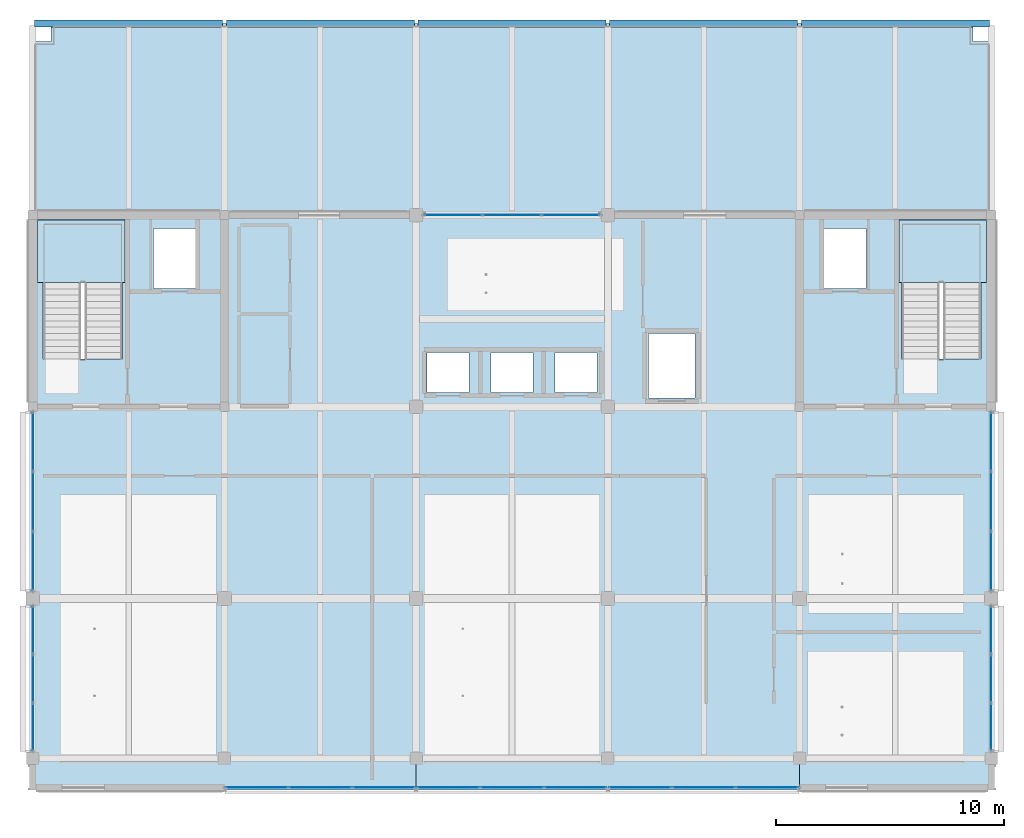
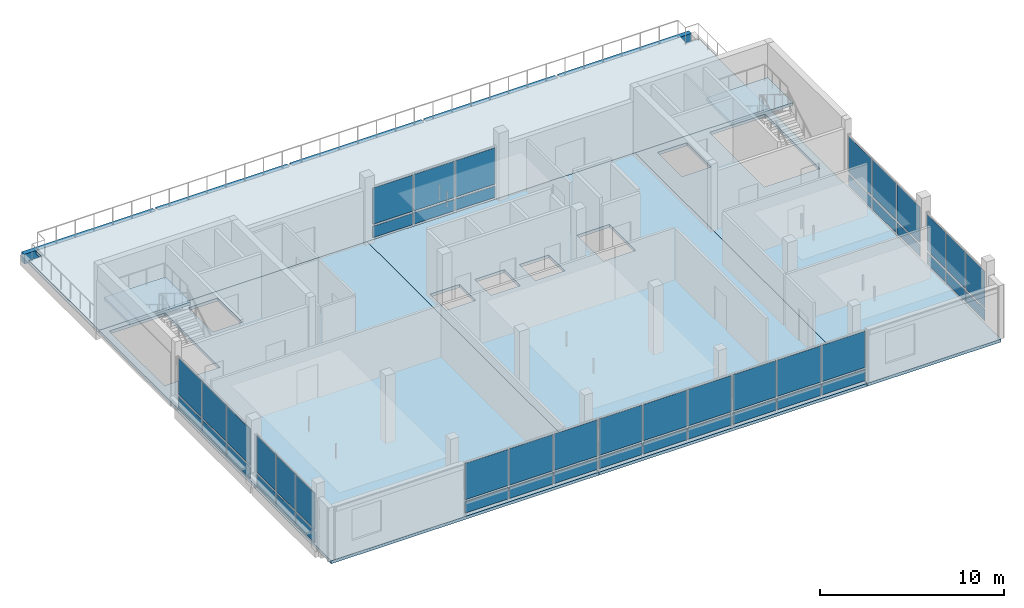
# One storey, part 7 of 25: 48 plates, 6 slabs, 5 beams, 10 elements without a shape of their own.
"""IFC4 building model written with IfcOpenShell, lengths in metres."""

import ifcopenshell
import ifcopenshell.guid

model = None  # the IFC model being written
_history = None  # IfcOwnerHistory: only IFC2X3 demands one
_inside = {}  # id of a spatial element -> (the spatial element, [elements in it])
_under = {}  # id of a project, library or spatial element -> (it, [spatial elements below it])
_declared = {}  # id of a project -> (the project, [libraries it declares])
_typed = {}  # id of a type object -> (the type object, [elements of that type])
_made_of = {}  # id of a material, layer set ... -> (it, [elements and type objects made of it])


def new_model(schema):
    """Start an empty IFC model of exactly this schema.

    Asked for "IFC4X3", IfcOpenShell would pick the latest addendum, in which some entities
    have other attributes; the version numbers below select the first issue.
    IFC2X3 requires an IfcOwnerHistory on every rooted entity: one is made here for all.
    """
    global model, _history
    if schema == "IFC4X3":
        model = ifcopenshell.file(schema_version=(4, 3, 0, 0))
    else:
        model = ifcopenshell.file(schema=schema)
    _inside.clear()
    _under.clear()
    _declared.clear()
    _typed.clear()
    _made_of.clear()
    _history = None
    if model.schema == "IFC2X3":
        org = make("IfcOrganization", Name="unknown")
        user = make(
            "IfcPersonAndOrganization",
            ThePerson=make("IfcPerson", FamilyName="unknown"),
            TheOrganization=org,
        )
        app = make(
            "IfcApplication",
            ApplicationDeveloper=org,
            Version="unknown",
            ApplicationFullName="unknown",
            ApplicationIdentifier="unknown",
        )
        _history = make(
            "IfcOwnerHistory",
            OwningUser=user,
            OwningApplication=app,
            ChangeAction="ADDED",
            CreationDate=0,
        )
    return model


def make(cls, **values):
    """One entity of the class cls with the attributes given. An attribute that is None is left unset."""
    return model.create_entity(
        cls, **{name: value for name, value in values.items() if value is not None}
    )


def rooted(cls, **values):
    """An entity with a GlobalId (a new one), such as an element, a storey or a relation."""
    return make(cls, GlobalId=ifcopenshell.guid.new(), OwnerHistory=_history, **values)


def si_unit(unit_type, name, prefix=None):
    """IfcSIUnit, for example si_unit("LENGTHUNIT", "METRE", prefix="MILLI")."""
    return make("IfcSIUnit", UnitType=unit_type, Prefix=prefix, Name=name)


def assignment(units):
    """IfcUnitAssignment: the units of a project."""
    return None if units is None else make("IfcUnitAssignment", Units=units)


def point(xyz):
    """IfcCartesianPoint."""
    return None if xyz is None else make("IfcCartesianPoint", Coordinates=xyz)


def direction(xyz):
    """IfcDirection."""
    return None if xyz is None else make("IfcDirection", DirectionRatios=xyz)


def frame(location, z_axis=None, x_axis=None):
    """IfcAxis2Placement3D, a coordinate frame: its origin and axes. An axis left out is left unset."""
    return make(
        "IfcAxis2Placement3D",
        Location=point(location),
        Axis=direction(z_axis),
        RefDirection=direction(x_axis),
    )


def frame_2d(location, x_axis=None):
    """IfcAxis2Placement2D, a coordinate frame in the plane: its origin and x axis."""
    return make(
        "IfcAxis2Placement2D", Location=point(location), RefDirection=direction(x_axis)
    )


def origin():
    """The frame at (0, 0, 0) with its axes left unset."""
    return frame((0.0, 0.0, 0.0))


def origin_2d():
    """The frame at (0, 0) in the plane with its x axis left unset."""
    return frame_2d((0.0, 0.0))


def place(relative_to, where):
    """IfcLocalPlacement: puts the frame where relative to a parent placement (None: the world)."""
    return make(
        "IfcLocalPlacement", PlacementRelTo=relative_to, RelativePlacement=where
    )


def context(
    kind, dimensions, precision=None, world=None, true_north=None, identifier=None
):
    """IfcGeometricRepresentationContext, for example the 3D "Model" context."""
    return make(
        "IfcGeometricRepresentationContext",
        ContextIdentifier=identifier,
        ContextType=kind,
        CoordinateSpaceDimension=dimensions,
        Precision=precision,
        WorldCoordinateSystem=world,
        TrueNorth=true_north,
    )


def subcontext(parent, identifier, kind, view, scale=None):
    """IfcGeometricRepresentationSubContext, for example "Body" below "Model"."""
    return make(
        "IfcGeometricRepresentationSubContext",
        ContextIdentifier=identifier,
        ContextType=kind,
        ParentContext=parent,
        TargetScale=scale,
        TargetView=view,
    )


def project(units=None, contexts=None):
    """IfcProject with its units and contexts."""
    return rooted(
        "IfcProject",
        Name="project",
        RepresentationContexts=contexts,
        UnitsInContext=assignment(units),
    )


def spatial(cls, under=None, at=None, **own):
    """A site, building, storey or space (cls), placed at a placement, below another one or the project."""
    s = rooted(cls, ObjectPlacement=at, **own)
    if under is not None:
        _under.setdefault(under.id(), (under, []))[1].append(s)
    return s


def polyline(points):
    """IfcPolyline through the points."""
    return make("IfcPolyline", Points=[point(p) for p in points])


def profile(cls, at=None, kind="AREA", **sizes):
    """A parametric profile (cls). Its sizes go by their IFC names, for example OverallWidth=200.0."""
    return make(cls, ProfileType=kind, Position=at, **sizes)


def rectangle(**sizes):
    """IfcRectangleProfileDef."""
    return profile("IfcRectangleProfileDef", **sizes)


def outline(outer, holes=None, kind="AREA"):
    """IfcArbitraryClosedProfileDef: a profile drawn as a closed curve; with holes, ...WithVoids."""
    if holes is None:
        return make("IfcArbitraryClosedProfileDef", ProfileType=kind, OuterCurve=outer)
    return make(
        "IfcArbitraryProfileDefWithVoids",
        ProfileType=kind,
        OuterCurve=outer,
        InnerCurves=holes,
    )


def extrude(swept, where, along, depth):
    """IfcExtrudedAreaSolid: the profile swept, set in the frame where, extruded along a direction by depth."""
    return make(
        "IfcExtrudedAreaSolid",
        SweptArea=swept,
        Position=where,
        ExtrudedDirection=direction(along),
        Depth=depth,
    )


def shape(context_of_items, identifier, shape_type, items):
    """IfcShapeRepresentation: the items that make up one representation, for example the "Body"."""
    return make(
        "IfcShapeRepresentation",
        ContextOfItems=context_of_items,
        RepresentationIdentifier=identifier,
        RepresentationType=shape_type,
        Items=items,
    )


def material(Name=None, Category=None):
    """IfcMaterial."""
    return make("IfcMaterial", Name=Name, Category=Category)


def layer(
    of_material, thickness, ventilated=None, Name=None, Category=None, Priority=None
):
    """IfcMaterialLayer: one layer of a wall or slab, of a material (None: an air gap)."""
    return make(
        "IfcMaterialLayer",
        Material=of_material,
        LayerThickness=thickness,
        IsVentilated=ventilated,
        Name=Name,
        Category=Category,
        Priority=Priority,
    )


def layer_set(layers, Name=None):
    """IfcMaterialLayerSet."""
    return make("IfcMaterialLayerSet", MaterialLayers=layers, LayerSetName=Name)


def material_profile(
    of_material, cross_section, Name=None, Category=None, Priority=None
):
    """IfcMaterialProfile: a cross section and its material."""
    return make(
        "IfcMaterialProfile",
        Name=Name,
        Material=of_material,
        Profile=cross_section,
        Priority=Priority,
        Category=Category,
    )


def profile_set(profiles, Name=None, composite=None):
    """IfcMaterialProfileSet."""
    return make(
        "IfcMaterialProfileSet",
        Name=Name,
        MaterialProfiles=profiles,
        CompositeProfile=composite,
    )


def made_of(thing, what):
    """Note that an element or type object is made of a material, layer set ...; save() writes the relation."""
    if what is not None:
        _made_of.setdefault(what.id(), (what, []))[1].append(thing)
    return thing


def type_object(cls, material=None, **own):
    """A type object (cls), such as IfcWallType, which elements share."""
    return made_of(rooted(cls, **own), material)


def element(
    cls,
    number,
    at=None,
    inside=None,
    cuts=None,
    type_object=None,
    material=None,
    context=None,
    identifier="Body",
    shape_type=None,
    held_by="IfcProductDefinitionShape",
    body=None,
    shapes=None,
    **own,
):
    """One element of the class cls, such as IfcWall. Its Tag is "e" and its number.

    at: its placement. inside: the storey or other place that contains it. cuts: it is an
    opening in that element (IfcRelVoidsElement). A single representation is given by context,
    identifier, shape_type and body (its items); several are given by shapes. held_by: the class
    of the entity that holds the representations. save() writes the other relations.
    """
    e = rooted(cls, Tag="e%d" % number, ObjectPlacement=at, **own)
    if body is not None:
        shapes = [shape(context, identifier, shape_type, body)]
    if shapes is not None:
        e.Representation = make(held_by, Representations=shapes)
    if inside is not None:
        _inside.setdefault(inside.id(), (inside, []))[1].append(e)
    if cuts is not None:
        rooted(
            "IfcRelVoidsElement", RelatingBuildingElement=cuts, RelatedOpeningElement=e
        )
    if type_object is not None:
        _typed.setdefault(type_object.id(), (type_object, []))[1].append(e)
    return made_of(e, material)


def aggregate(whole, parts):
    """IfcRelAggregates: a whole, such as a stair, and the parts it consists of."""
    return rooted("IfcRelAggregates", RelatingObject=whole, RelatedObjects=parts)


def save(model, path):
    """Write the relations noted so far, then the file.

    IfcRelAggregates (storeys below a building ...), IfcRelContainedInSpatialStructure (elements
    in a storey), IfcRelDefinesByType, IfcRelAssociatesMaterial and IfcRelDeclares: one each for
    every whole, place, type object, material and project.
    """
    for whole, parts in _under.values():
        aggregate(whole, parts)
    for where, things in _inside.values():
        rooted(
            "IfcRelContainedInSpatialStructure",
            RelatedElements=things,
            RelatingStructure=where,
        )
    for kind, things in _typed.values():
        rooted("IfcRelDefinesByType", RelatedObjects=things, RelatingType=kind)
    for what, things in _made_of.values():
        rooted("IfcRelAssociatesMaterial", RelatedObjects=things, RelatingMaterial=what)
    for by, libraries in _declared.values():
        rooted("IfcRelDeclares", RelatingContext=by, RelatedDefinitions=libraries)
    model.write(path)


model = new_model("IFC4")

# Units and contexts
model_context = context("Model", 3, precision=1e-05, world=origin(), true_north=direction((0.0, 1.0)))
body_context = subcontext(model_context, "Body", "Model", "MODEL_VIEW")
ifc_project = project(units=[si_unit("LENGTHUNIT", "METRE"), si_unit("AREAUNIT", "SQUARE_METRE"), si_unit("VOLUMEUNIT", "CUBIC_METRE"), si_unit("PLANEANGLEUNIT", "RADIAN"), si_unit("MASSUNIT", "GRAM", prefix="KILO")], contexts=[model_context])

# Site, building, storey
site_placement = place(None, origin())
site = spatial("IfcSite", under=ifc_project, at=site_placement, CompositionType="ELEMENT")
building_placement = place(site_placement, origin())
building = spatial("IfcBuilding", under=site, at=building_placement, Name="Telukmera Botanical Conservatory", CompositionType="ELEMENT")
storey_placement = place(building_placement, frame((0.0, 0.0, 64.5)))
storey = spatial("IfcBuildingStorey", under=building, at=storey_placement, Name="L14", CompositionType="ELEMENT", Elevation=64.5)

# Beams
ifc_material_1 = material(Name="Precast concrete C40/50", Category="concrete")
ifc_material_profile = material_profile(ifc_material_1, rectangle(XDim=0.300048828125, YDim=0.64990234375, at=origin_2d()), Name="PC 300x650")
ifc_profile_set = profile_set([ifc_material_profile], Name="Precast concrete C40/50")
beam_type = type_object("IfcBeamType", Name="Beam_SP4", PredefinedType="SPANDREL", material=ifc_profile_set)
beam_placement = place(storey_placement, frame((58.8798828125, 42.800048828125, -0.324951171875), z_axis=(1.0, 0.0, 0.0), x_axis=(0.0, 1.0, 0.0)))
element("IfcBeam", 1, at=beam_placement, inside=storey, type_object=beam_type, Name="Tower Grid Beam L14", PredefinedType="SPANDREL", context=body_context, shape_type="SweptSolid", body=[
    extrude(rectangle(XDim=0.300048828125, YDim=0.64990234375, at=origin_2d()), origin(), (0.0, 0.0, 1.0), 8.240234375),
])
for number, where, z_axis, x_axis, name in (
    (2, (67.280029296875, 42.800048828125, -0.324951171875), (1.0, 0.0, 0.0), (0.0, 1.0, 0.0), "Tower Grid Beam L14"),
    (3, (75.679931640625, 42.800048828125, -0.324951171875), (1.0, 0.0, 0.0), (0.0, 1.0, 0.0), "Tower Grid Beam L14"),
    (4, (84.080078125, 42.800048828125, -0.324951171875), (1.0, 0.0, 0.0), (0.0, 1.0, 0.0), "Tower Grid Beam L14"),
    (5, (92.47998046875, 42.800048828125, -0.324951171875), (1.0, 0.0, 0.0), (0.0, 1.0, 0.0), "Tower Grid Beam L14"),
):
    element("IfcBeam", number, at=place(storey_placement, frame(where, z_axis=z_axis, x_axis=x_axis)), inside=storey, type_object=beam_type, Name=name, PredefinedType="SPANDREL", context=body_context, shape_type="SweptSolid", body=[
        extrude(rectangle(XDim=0.300048828125, YDim=0.64990234375, at=origin_2d()), origin(), (0.0, 0.0, 1.0), 8.239990234375),
    ])

# Curtain wall, plates
ifc_material_2 = material(Name="Anodised aluminium 6063-T6", Category="aluminium")
ifc_layer_1 = layer(ifc_material_2, 0.179931640625)
ifc_layer_set_1 = layer_set([ifc_layer_1], Name="Anodised aluminium 6063-T6")
curtain_wall_type = type_object("IfcCurtainWallType", Name="Tower Sky Gallery Panoramic Curtain Wall", PredefinedType="USERDEFINED", material=ifc_layer_set_1)
curtain_wall_1_placement = place(storey_placement, origin())
curtain_wall_1 = element("IfcCurtainWall", 6, at=curtain_wall_1_placement, inside=storey, type_object=curtain_wall_type, Name="Unitised Curtain Wall CW16 V4:L14:S2", ObjectType="UNITISED CURTAIN WALL", PredefinedType="USERDEFINED")
ifc_material_3 = material(Name="Spectrally selective low-E double glazing", Category="glass")
ifc_layer_2 = layer(ifc_material_3, 0.02392578125)
ifc_layer_set_2 = layer_set([ifc_layer_2], Name="Spectrally selective low-E double glazing")
plate_type = type_object("IfcPlateType", Name="High Light Transmission Conservatory Glazing Panel 24", PredefinedType="CURTAIN_PANEL", material=ifc_layer_set_2)
plate_1_placement = place(storey_placement, frame((68.61767578125, 9.320068359375, 0.130126953125), z_axis=(0.0, 0.0, 1.0), x_axis=(1.0, 0.0, 0.0)))
plate_1 = element("IfcPlate", 7, at=plate_1_placement, type_object=plate_type, Name="CW16 panel 1.1", PredefinedType="CURTAIN_PANEL", context=body_context, shape_type="SweptSolid", body=[
    extrude(rectangle(XDim=2.701171875, YDim=0.02392578125, at=origin_2d()), origin(), (0.0, 0.0, 1.0), 0.7548828125),
])
plate_2_placement = place(storey_placement, frame((68.61767578125, 9.320068359375, 1.01513671875), z_axis=(0.0, 0.0, 1.0), x_axis=(1.0, 0.0, 0.0)))
plate_2 = element("IfcPlate", 8, at=plate_2_placement, type_object=plate_type, Name="CW16 panel 1.2", PredefinedType="CURTAIN_PANEL", context=body_context, shape_type="SweptSolid", body=[
    extrude(rectangle(XDim=2.701171875, YDim=0.02392578125, at=origin_2d()), origin(), (0.0, 0.0, 1.0), 2.405029296875),
])
plate_3_placement = place(storey_placement, frame((71.39990234375, 9.320068359375, 0.130126953125), z_axis=(0.0, 0.0, 1.0), x_axis=(1.0, 0.0, 0.0)))
plate_3 = element("IfcPlate", 9, at=plate_3_placement, type_object=plate_type, Name="CW16 panel 2.1", PredefinedType="CURTAIN_PANEL", context=body_context, shape_type="SweptSolid", body=[
    extrude(rectangle(XDim=2.733642578125, YDim=0.02392578125, at=origin_2d()), origin(), (0.0, 0.0, 1.0), 0.7548828125),
])
plate_4_placement = place(storey_placement, frame((71.39990234375, 9.320068359375, 1.01513671875), z_axis=(0.0, 0.0, 1.0), x_axis=(1.0, 0.0, 0.0)))
plate_4 = element("IfcPlate", 10, at=plate_4_placement, type_object=plate_type, Name="CW16 panel 2.2", PredefinedType="CURTAIN_PANEL", context=body_context, shape_type="SweptSolid", body=[
    extrude(rectangle(XDim=2.733642578125, YDim=0.02392578125, at=origin_2d()), origin(), (0.0, 0.0, 1.0), 2.405029296875),
])
plate_5_placement = place(storey_placement, frame((74.182373046875, 9.320068359375, 0.130126953125), z_axis=(0.0, 0.0, 1.0), x_axis=(1.0, 0.0, 0.0)))
plate_5 = element("IfcPlate", 11, at=plate_5_placement, type_object=plate_type, Name="CW16 panel 3.1", PredefinedType="CURTAIN_PANEL", context=body_context, shape_type="SweptSolid", body=[
    extrude(rectangle(XDim=2.701171875, YDim=0.02392578125, at=origin_2d()), origin(), (0.0, 0.0, 1.0), 0.7548828125),
])
plate_6_placement = place(storey_placement, frame((74.182373046875, 9.320068359375, 1.01513671875), z_axis=(0.0, 0.0, 1.0), x_axis=(1.0, 0.0, 0.0)))
plate_6 = element("IfcPlate", 12, at=plate_6_placement, type_object=plate_type, Name="CW16 panel 3.2", PredefinedType="CURTAIN_PANEL", context=body_context, shape_type="SweptSolid", body=[
    extrude(rectangle(XDim=2.701171875, YDim=0.02392578125, at=origin_2d()), origin(), (0.0, 0.0, 1.0), 2.405029296875),
])
aggregate(curtain_wall_1, [plate_1, plate_2, plate_3, plate_4, plate_5, plate_6])

curtain_wall_2_placement = place(storey_placement, origin())
curtain_wall_2 = element("IfcCurtainWall", 13, at=curtain_wall_2_placement, inside=storey, type_object=curtain_wall_type, Name="Unitised Curtain Wall CW16 V4:L14:S3", ObjectType="UNITISED CURTAIN WALL", PredefinedType="USERDEFINED")
plate_7_placement = place(storey_placement, frame((77.017578125, 9.320068359375, 0.130126953125), z_axis=(0.0, 0.0, 1.0), x_axis=(1.0, 0.0, 0.0)))
plate_7 = element("IfcPlate", 14, at=plate_7_placement, type_object=plate_type, Name="CW16 panel 1.1", PredefinedType="CURTAIN_PANEL", context=body_context, shape_type="SweptSolid", body=[
    extrude(rectangle(XDim=2.701171875, YDim=0.02392578125, at=origin_2d()), origin(), (0.0, 0.0, 1.0), 0.7548828125),
])
plate_8_placement = place(storey_placement, frame((77.017578125, 9.320068359375, 1.01513671875), z_axis=(0.0, 0.0, 1.0), x_axis=(1.0, 0.0, 0.0)))
plate_8 = element("IfcPlate", 15, at=plate_8_placement, type_object=plate_type, Name="CW16 panel 1.2", PredefinedType="CURTAIN_PANEL", context=body_context, shape_type="SweptSolid", body=[
    extrude(rectangle(XDim=2.701171875, YDim=0.02392578125, at=origin_2d()), origin(), (0.0, 0.0, 1.0), 2.405029296875),
])
plate_9_placement = place(storey_placement, frame((79.800048828125, 9.320068359375, 0.130126953125), z_axis=(0.0, 0.0, 1.0), x_axis=(1.0, 0.0, 0.0)))
plate_9 = element("IfcPlate", 16, at=plate_9_placement, type_object=plate_type, Name="CW16 panel 2.1", PredefinedType="CURTAIN_PANEL", context=body_context, shape_type="SweptSolid", body=[
    extrude(rectangle(XDim=2.733642578125, YDim=0.02392578125, at=origin_2d()), origin(), (0.0, 0.0, 1.0), 0.7548828125),
])
plate_10_placement = place(storey_placement, frame((79.800048828125, 9.320068359375, 1.01513671875), z_axis=(0.0, 0.0, 1.0), x_axis=(1.0, 0.0, 0.0)))
plate_10 = element("IfcPlate", 17, at=plate_10_placement, type_object=plate_type, Name="CW16 panel 2.2", PredefinedType="CURTAIN_PANEL", context=body_context, shape_type="SweptSolid", body=[
    extrude(rectangle(XDim=2.733642578125, YDim=0.02392578125, at=origin_2d()), origin(), (0.0, 0.0, 1.0), 2.405029296875),
])
plate_11_placement = place(storey_placement, frame((82.58251953125, 9.320068359375, 0.130126953125), z_axis=(0.0, 0.0, 1.0), x_axis=(1.0, 0.0, 0.0)))
plate_11 = element("IfcPlate", 18, at=plate_11_placement, type_object=plate_type, Name="CW16 panel 3.1", PredefinedType="CURTAIN_PANEL", context=body_context, shape_type="SweptSolid", body=[
    extrude(rectangle(XDim=2.701171875, YDim=0.02392578125, at=origin_2d()), origin(), (0.0, 0.0, 1.0), 0.7548828125),
])
plate_12_placement = place(storey_placement, frame((82.58251953125, 9.320068359375, 1.01513671875), z_axis=(0.0, 0.0, 1.0), x_axis=(1.0, 0.0, 0.0)))
plate_12 = element("IfcPlate", 19, at=plate_12_placement, type_object=plate_type, Name="CW16 panel 3.2", PredefinedType="CURTAIN_PANEL", context=body_context, shape_type="SweptSolid", body=[
    extrude(rectangle(XDim=2.701171875, YDim=0.02392578125, at=origin_2d()), origin(), (0.0, 0.0, 1.0), 2.405029296875),
])
aggregate(curtain_wall_2, [plate_7, plate_8, plate_9, plate_10, plate_11, plate_12])

curtain_wall_3_placement = place(storey_placement, origin())
curtain_wall_3 = element("IfcCurtainWall", 20, at=curtain_wall_3_placement, inside=storey, type_object=curtain_wall_type, Name="Unitised Curtain Wall CW16 V4:L14:S4", ObjectType="UNITISED CURTAIN WALL", PredefinedType="USERDEFINED")
plate_13_placement = place(storey_placement, frame((85.41748046875, 9.320068359375, 0.130126953125), z_axis=(0.0, 0.0, 1.0), x_axis=(1.0, 0.0, 0.0)))
plate_13 = element("IfcPlate", 21, at=plate_13_placement, type_object=plate_type, Name="CW16 panel 1.1", PredefinedType="CURTAIN_PANEL", context=body_context, shape_type="SweptSolid", body=[
    extrude(rectangle(XDim=2.701171875, YDim=0.02392578125, at=origin_2d()), origin(), (0.0, 0.0, 1.0), 0.7548828125),
])
plate_14_placement = place(storey_placement, frame((85.41748046875, 9.320068359375, 1.01513671875), z_axis=(0.0, 0.0, 1.0), x_axis=(1.0, 0.0, 0.0)))
plate_14 = element("IfcPlate", 22, at=plate_14_placement, type_object=plate_type, Name="CW16 panel 1.2", PredefinedType="CURTAIN_PANEL", context=body_context, shape_type="SweptSolid", body=[
    extrude(rectangle(XDim=2.701171875, YDim=0.02392578125, at=origin_2d()), origin(), (0.0, 0.0, 1.0), 2.405029296875),
])
plate_15_placement = place(storey_placement, frame((88.199951171875, 9.320068359375, 0.130126953125), z_axis=(0.0, 0.0, 1.0), x_axis=(1.0, 0.0, 0.0)))
plate_15 = element("IfcPlate", 23, at=plate_15_placement, type_object=plate_type, Name="CW16 panel 2.1", PredefinedType="CURTAIN_PANEL", context=body_context, shape_type="SweptSolid", body=[
    extrude(rectangle(XDim=2.733642578125, YDim=0.02392578125, at=origin_2d()), origin(), (0.0, 0.0, 1.0), 0.7548828125),
])
plate_16_placement = place(storey_placement, frame((88.199951171875, 9.320068359375, 1.01513671875), z_axis=(0.0, 0.0, 1.0), x_axis=(1.0, 0.0, 0.0)))
plate_16 = element("IfcPlate", 24, at=plate_16_placement, type_object=plate_type, Name="CW16 panel 2.2", PredefinedType="CURTAIN_PANEL", context=body_context, shape_type="SweptSolid", body=[
    extrude(rectangle(XDim=2.733642578125, YDim=0.02392578125, at=origin_2d()), origin(), (0.0, 0.0, 1.0), 2.405029296875),
])
plate_17_placement = place(storey_placement, frame((90.982421875, 9.320068359375, 0.130126953125), z_axis=(0.0, 0.0, 1.0), x_axis=(1.0, 0.0, 0.0)))
plate_17 = element("IfcPlate", 25, at=plate_17_placement, type_object=plate_type, Name="CW16 panel 3.1", PredefinedType="CURTAIN_PANEL", context=body_context, shape_type="SweptSolid", body=[
    extrude(rectangle(XDim=2.701171875, YDim=0.02392578125, at=origin_2d()), origin(), (0.0, 0.0, 1.0), 0.7548828125),
])
plate_18_placement = place(storey_placement, frame((90.982421875, 9.320068359375, 1.01513671875), z_axis=(0.0, 0.0, 1.0), x_axis=(1.0, 0.0, 0.0)))
plate_18 = element("IfcPlate", 26, at=plate_18_placement, type_object=plate_type, Name="CW16 panel 3.2", PredefinedType="CURTAIN_PANEL", context=body_context, shape_type="SweptSolid", body=[
    extrude(rectangle(XDim=2.701171875, YDim=0.02392578125, at=origin_2d()), origin(), (0.0, 0.0, 1.0), 2.405029296875),
])
aggregate(curtain_wall_3, [plate_13, plate_14, plate_15, plate_16, plate_17, plate_18])

curtain_wall_4_placement = place(storey_placement, origin())
curtain_wall_4 = element("IfcCurtainWall", 27, at=curtain_wall_4_placement, inside=storey, type_object=curtain_wall_type, Name="Unitised Curtain Wall CW16 V4:L14:N3", ObjectType="UNITISED CURTAIN WALL", PredefinedType="USERDEFINED")
plate_19_placement = place(storey_placement, frame((77.217529296875, 34.39990234375, 0.130126953125), z_axis=(0.0, 0.0, 1.0), x_axis=(1.0, 0.0, 0.0)))
plate_19 = element("IfcPlate", 28, at=plate_19_placement, type_object=plate_type, Name="CW16 panel 1.1", PredefinedType="CURTAIN_PANEL", context=body_context, shape_type="SweptSolid", body=[
    extrude(rectangle(XDim=2.501220703125, YDim=0.02392578125, at=origin_2d()), origin(), (0.0, 0.0, 1.0), 0.7548828125),
])
plate_20_placement = place(storey_placement, frame((77.217529296875, 34.39990234375, 1.01513671875), z_axis=(0.0, 0.0, 1.0), x_axis=(1.0, 0.0, 0.0)))
plate_20 = element("IfcPlate", 29, at=plate_20_placement, type_object=plate_type, Name="CW16 panel 1.2", PredefinedType="CURTAIN_PANEL", context=body_context, shape_type="SweptSolid", body=[
    extrude(rectangle(XDim=2.501220703125, YDim=0.02392578125, at=origin_2d()), origin(), (0.0, 0.0, 1.0), 2.405029296875),
])
plate_21_placement = place(storey_placement, frame((79.800048828125, 34.39990234375, 0.130126953125), z_axis=(0.0, 0.0, 1.0), x_axis=(1.0, 0.0, 0.0)))
plate_21 = element("IfcPlate", 30, at=plate_21_placement, type_object=plate_type, Name="CW16 panel 2.1", PredefinedType="CURTAIN_PANEL", context=body_context, shape_type="SweptSolid", body=[
    extrude(rectangle(XDim=2.53369140625, YDim=0.02392578125, at=origin_2d()), origin(), (0.0, 0.0, 1.0), 0.7548828125),
])
plate_22_placement = place(storey_placement, frame((79.800048828125, 34.39990234375, 1.01513671875), z_axis=(0.0, 0.0, 1.0), x_axis=(1.0, 0.0, 0.0)))
plate_22 = element("IfcPlate", 31, at=plate_22_placement, type_object=plate_type, Name="CW16 panel 2.2", PredefinedType="CURTAIN_PANEL", context=body_context, shape_type="SweptSolid", body=[
    extrude(rectangle(XDim=2.53369140625, YDim=0.02392578125, at=origin_2d()), origin(), (0.0, 0.0, 1.0), 2.405029296875),
])
plate_23_placement = place(storey_placement, frame((82.38232421875, 34.39990234375, 0.130126953125), z_axis=(0.0, 0.0, 1.0), x_axis=(1.0, 0.0, 0.0)))
plate_23 = element("IfcPlate", 32, at=plate_23_placement, type_object=plate_type, Name="CW16 panel 3.1", PredefinedType="CURTAIN_PANEL", context=body_context, shape_type="SweptSolid", body=[
    extrude(rectangle(XDim=2.501220703125, YDim=0.02392578125, at=origin_2d()), origin(), (0.0, 0.0, 1.0), 0.7548828125),
])
plate_24_placement = place(storey_placement, frame((82.38232421875, 34.39990234375, 1.01513671875), z_axis=(0.0, 0.0, 1.0), x_axis=(1.0, 0.0, 0.0)))
plate_24 = element("IfcPlate", 33, at=plate_24_placement, type_object=plate_type, Name="CW16 panel 3.2", PredefinedType="CURTAIN_PANEL", context=body_context, shape_type="SweptSolid", body=[
    extrude(rectangle(XDim=2.501220703125, YDim=0.02392578125, at=origin_2d()), origin(), (0.0, 0.0, 1.0), 2.405029296875),
])
aggregate(curtain_wall_4, [plate_19, plate_20, plate_21, plate_22, plate_23, plate_24])

curtain_wall_5_placement = place(storey_placement, origin())
curtain_wall_5 = element("IfcCurtainWall", 34, at=curtain_wall_5_placement, inside=storey, type_object=curtain_wall_type, Name="Unitised Curtain Wall CW16 V4:L14:W1", ObjectType="UNITISED CURTAIN WALL", PredefinedType="USERDEFINED")
plate_25_placement = place(storey_placement, frame((58.800048828125, 11.96337890625, 0.130126953125), z_axis=(0.0, 0.0, 1.0), x_axis=(0.0, 1.0, 0.0)))
plate_25 = element("IfcPlate", 35, at=plate_25_placement, type_object=plate_type, Name="CW16 panel 1.1", PredefinedType="CURTAIN_PANEL", context=body_context, shape_type="SweptSolid", body=[
    extrude(rectangle(XDim=2.042724609375, YDim=0.02392578125, at=origin_2d()), origin(), (0.0, 0.0, 1.0), 0.7548828125),
])
plate_26_placement = place(storey_placement, frame((58.800048828125, 11.96337890625, 1.01513671875), z_axis=(0.0, 0.0, 1.0), x_axis=(0.0, 1.0, 0.0)))
plate_26 = element("IfcPlate", 36, at=plate_26_placement, type_object=plate_type, Name="CW16 panel 1.2", PredefinedType="CURTAIN_PANEL", context=body_context, shape_type="SweptSolid", body=[
    extrude(rectangle(XDim=2.042724609375, YDim=0.02392578125, at=origin_2d()), origin(), (0.0, 0.0, 1.0), 2.405029296875),
])
plate_27_placement = place(storey_placement, frame((58.800048828125, 14.08740234375, 0.130126953125), z_axis=(0.0, 0.0, 1.0), x_axis=(0.0, 1.0, 0.0)))
plate_27 = element("IfcPlate", 37, at=plate_27_placement, type_object=plate_type, Name="CW16 panel 2.1", PredefinedType="CURTAIN_PANEL", context=body_context, shape_type="SweptSolid", body=[
    extrude(rectangle(XDim=2.075439453125, YDim=0.02392578125, at=origin_2d()), origin(), (0.0, 0.0, 1.0), 0.7548828125),
])
plate_28_placement = place(storey_placement, frame((58.800048828125, 14.08740234375, 1.01513671875), z_axis=(0.0, 0.0, 1.0), x_axis=(0.0, 1.0, 0.0)))
plate_28 = element("IfcPlate", 38, at=plate_28_placement, type_object=plate_type, Name="CW16 panel 2.2", PredefinedType="CURTAIN_PANEL", context=body_context, shape_type="SweptSolid", body=[
    extrude(rectangle(XDim=2.075439453125, YDim=0.02392578125, at=origin_2d()), origin(), (0.0, 0.0, 1.0), 2.405029296875),
])
plate_29_placement = place(storey_placement, frame((58.800048828125, 16.211669921875, 0.130126953125), z_axis=(0.0, 0.0, 1.0), x_axis=(0.0, 1.0, 0.0)))
plate_29 = element("IfcPlate", 39, at=plate_29_placement, type_object=plate_type, Name="CW16 panel 3.1", PredefinedType="CURTAIN_PANEL", context=body_context, shape_type="SweptSolid", body=[
    extrude(rectangle(XDim=2.042724609375, YDim=0.02392578125, at=origin_2d()), origin(), (0.0, 0.0, 1.0), 0.7548828125),
])
plate_30_placement = place(storey_placement, frame((58.800048828125, 16.211669921875, 1.01513671875), z_axis=(0.0, 0.0, 1.0), x_axis=(0.0, 1.0, 0.0)))
plate_30 = element("IfcPlate", 40, at=plate_30_placement, type_object=plate_type, Name="CW16 panel 3.2", PredefinedType="CURTAIN_PANEL", context=body_context, shape_type="SweptSolid", body=[
    extrude(rectangle(XDim=2.042724609375, YDim=0.02392578125, at=origin_2d()), origin(), (0.0, 0.0, 1.0), 2.405029296875),
])
aggregate(curtain_wall_5, [plate_25, plate_26, plate_27, plate_28, plate_29, plate_30])

curtain_wall_6_placement = place(storey_placement, origin())
curtain_wall_6 = element("IfcCurtainWall", 41, at=curtain_wall_6_placement, inside=storey, type_object=curtain_wall_type, Name="Unitised Curtain Wall CW16 V4:L14:E1", ObjectType="UNITISED CURTAIN WALL", PredefinedType="USERDEFINED")
plate_31_placement = place(storey_placement, frame((100.800048828125, 11.96337890625, 0.130126953125), z_axis=(0.0, 0.0, 1.0), x_axis=(0.0, 1.0, 0.0)))
plate_31 = element("IfcPlate", 42, at=plate_31_placement, type_object=plate_type, Name="CW16 panel 1.1", PredefinedType="CURTAIN_PANEL", context=body_context, shape_type="SweptSolid", body=[
    extrude(rectangle(XDim=2.042724609375, YDim=0.02392578125, at=origin_2d()), origin(), (0.0, 0.0, 1.0), 0.7548828125),
])
plate_32_placement = place(storey_placement, frame((100.800048828125, 11.96337890625, 1.01513671875), z_axis=(0.0, 0.0, 1.0), x_axis=(0.0, 1.0, 0.0)))
plate_32 = element("IfcPlate", 43, at=plate_32_placement, type_object=plate_type, Name="CW16 panel 1.2", PredefinedType="CURTAIN_PANEL", context=body_context, shape_type="SweptSolid", body=[
    extrude(rectangle(XDim=2.042724609375, YDim=0.02392578125, at=origin_2d()), origin(), (0.0, 0.0, 1.0), 2.405029296875),
])
plate_33_placement = place(storey_placement, frame((100.800048828125, 14.08740234375, 0.130126953125), z_axis=(0.0, 0.0, 1.0), x_axis=(0.0, 1.0, 0.0)))
plate_33 = element("IfcPlate", 44, at=plate_33_placement, type_object=plate_type, Name="CW16 panel 2.1", PredefinedType="CURTAIN_PANEL", context=body_context, shape_type="SweptSolid", body=[
    extrude(rectangle(XDim=2.075439453125, YDim=0.02392578125, at=origin_2d()), origin(), (0.0, 0.0, 1.0), 0.7548828125),
])
plate_34_placement = place(storey_placement, frame((100.800048828125, 14.08740234375, 1.01513671875), z_axis=(0.0, 0.0, 1.0), x_axis=(0.0, 1.0, 0.0)))
plate_34 = element("IfcPlate", 45, at=plate_34_placement, type_object=plate_type, Name="CW16 panel 2.2", PredefinedType="CURTAIN_PANEL", context=body_context, shape_type="SweptSolid", body=[
    extrude(rectangle(XDim=2.075439453125, YDim=0.02392578125, at=origin_2d()), origin(), (0.0, 0.0, 1.0), 2.405029296875),
])
plate_35_placement = place(storey_placement, frame((100.800048828125, 16.211669921875, 0.130126953125), z_axis=(0.0, 0.0, 1.0), x_axis=(0.0, 1.0, 0.0)))
plate_35 = element("IfcPlate", 46, at=plate_35_placement, type_object=plate_type, Name="CW16 panel 3.1", PredefinedType="CURTAIN_PANEL", context=body_context, shape_type="SweptSolid", body=[
    extrude(rectangle(XDim=2.042724609375, YDim=0.02392578125, at=origin_2d()), origin(), (0.0, 0.0, 1.0), 0.7548828125),
])
plate_36_placement = place(storey_placement, frame((100.800048828125, 16.211669921875, 1.01513671875), z_axis=(0.0, 0.0, 1.0), x_axis=(0.0, 1.0, 0.0)))
plate_36 = element("IfcPlate", 47, at=plate_36_placement, type_object=plate_type, Name="CW16 panel 3.2", PredefinedType="CURTAIN_PANEL", context=body_context, shape_type="SweptSolid", body=[
    extrude(rectangle(XDim=2.042724609375, YDim=0.02392578125, at=origin_2d()), origin(), (0.0, 0.0, 1.0), 2.405029296875),
])
aggregate(curtain_wall_6, [plate_31, plate_32, plate_33, plate_34, plate_35, plate_36])

curtain_wall_7_placement = place(storey_placement, origin())
curtain_wall_7 = element("IfcCurtainWall", 48, at=curtain_wall_7_placement, inside=storey, type_object=curtain_wall_type, Name="Unitised Curtain Wall CW16 V4:L14:W2", ObjectType="UNITISED CURTAIN WALL", PredefinedType="USERDEFINED")
plate_37_placement = place(storey_placement, frame((58.800048828125, 19.234130859375, 0.130126953125), z_axis=(0.0, 0.0, 1.0), x_axis=(0.0, 1.0, 0.0)))
plate_37 = element("IfcPlate", 49, at=plate_37_placement, type_object=plate_type, Name="CW16 panel 1.1", PredefinedType="CURTAIN_PANEL", context=body_context, shape_type="SweptSolid", body=[
    extrude(rectangle(XDim=2.534423828125, YDim=0.02392578125, at=origin_2d()), origin(), (0.0, 0.0, 1.0), 0.7548828125),
])
plate_38_placement = place(storey_placement, frame((58.800048828125, 19.234130859375, 1.01513671875), z_axis=(0.0, 0.0, 1.0), x_axis=(0.0, 1.0, 0.0)))
plate_38 = element("IfcPlate", 50, at=plate_38_placement, type_object=plate_type, Name="CW16 panel 1.2", PredefinedType="CURTAIN_PANEL", context=body_context, shape_type="SweptSolid", body=[
    extrude(rectangle(XDim=2.534423828125, YDim=0.02392578125, at=origin_2d()), origin(), (0.0, 0.0, 1.0), 2.405029296875),
])
plate_39_placement = place(storey_placement, frame((58.800048828125, 21.85009765625, 0.130126953125), z_axis=(0.0, 0.0, 1.0), x_axis=(0.0, 1.0, 0.0)))
plate_39 = element("IfcPlate", 51, at=plate_39_placement, type_object=plate_type, Name="CW16 panel 2.1", PredefinedType="CURTAIN_PANEL", context=body_context, shape_type="SweptSolid", body=[
    extrude(rectangle(XDim=2.56689453125, YDim=0.02392578125, at=origin_2d()), origin(), (0.0, 0.0, 1.0), 0.7548828125),
])
plate_40_placement = place(storey_placement, frame((58.800048828125, 21.85009765625, 1.01513671875), z_axis=(0.0, 0.0, 1.0), x_axis=(0.0, 1.0, 0.0)))
plate_40 = element("IfcPlate", 52, at=plate_40_placement, type_object=plate_type, Name="CW16 panel 2.2", PredefinedType="CURTAIN_PANEL", context=body_context, shape_type="SweptSolid", body=[
    extrude(rectangle(XDim=2.56689453125, YDim=0.02392578125, at=origin_2d()), origin(), (0.0, 0.0, 1.0), 2.405029296875),
])
plate_41_placement = place(storey_placement, frame((58.800048828125, 24.4658203125, 0.130126953125), z_axis=(0.0, 0.0, 1.0), x_axis=(0.0, 1.0, 0.0)))
plate_41 = element("IfcPlate", 53, at=plate_41_placement, type_object=plate_type, Name="CW16 panel 3.1", PredefinedType="CURTAIN_PANEL", context=body_context, shape_type="SweptSolid", body=[
    extrude(rectangle(XDim=2.534423828125, YDim=0.02392578125, at=origin_2d()), origin(), (0.0, 0.0, 1.0), 0.7548828125),
])
plate_42_placement = place(storey_placement, frame((58.800048828125, 24.4658203125, 1.01513671875), z_axis=(0.0, 0.0, 1.0), x_axis=(0.0, 1.0, 0.0)))
plate_42 = element("IfcPlate", 54, at=plate_42_placement, type_object=plate_type, Name="CW16 panel 3.2", PredefinedType="CURTAIN_PANEL", context=body_context, shape_type="SweptSolid", body=[
    extrude(rectangle(XDim=2.534423828125, YDim=0.02392578125, at=origin_2d()), origin(), (0.0, 0.0, 1.0), 2.405029296875),
])
aggregate(curtain_wall_7, [plate_37, plate_38, plate_39, plate_40, plate_41, plate_42])

curtain_wall_8_placement = place(storey_placement, origin())
curtain_wall_8 = element("IfcCurtainWall", 55, at=curtain_wall_8_placement, inside=storey, type_object=curtain_wall_type, Name="Unitised Curtain Wall CW16 V4:L14:E2", ObjectType="UNITISED CURTAIN WALL", PredefinedType="USERDEFINED")
plate_43_placement = place(storey_placement, frame((100.800048828125, 19.234130859375, 0.130126953125), z_axis=(0.0, 0.0, 1.0), x_axis=(0.0, 1.0, 0.0)))
plate_43 = element("IfcPlate", 56, at=plate_43_placement, type_object=plate_type, Name="CW16 panel 1.1", PredefinedType="CURTAIN_PANEL", context=body_context, shape_type="SweptSolid", body=[
    extrude(rectangle(XDim=2.534423828125, YDim=0.02392578125, at=origin_2d()), origin(), (0.0, 0.0, 1.0), 0.7548828125),
])
plate_44_placement = place(storey_placement, frame((100.800048828125, 19.234130859375, 1.01513671875), z_axis=(0.0, 0.0, 1.0), x_axis=(0.0, 1.0, 0.0)))
plate_44 = element("IfcPlate", 57, at=plate_44_placement, type_object=plate_type, Name="CW16 panel 1.2", PredefinedType="CURTAIN_PANEL", context=body_context, shape_type="SweptSolid", body=[
    extrude(rectangle(XDim=2.534423828125, YDim=0.02392578125, at=origin_2d()), origin(), (0.0, 0.0, 1.0), 2.405029296875),
])
plate_45_placement = place(storey_placement, frame((100.800048828125, 21.85009765625, 0.130126953125), z_axis=(0.0, 0.0, 1.0), x_axis=(0.0, 1.0, 0.0)))
plate_45 = element("IfcPlate", 58, at=plate_45_placement, type_object=plate_type, Name="CW16 panel 2.1", PredefinedType="CURTAIN_PANEL", context=body_context, shape_type="SweptSolid", body=[
    extrude(rectangle(XDim=2.56689453125, YDim=0.02392578125, at=origin_2d()), origin(), (0.0, 0.0, 1.0), 0.7548828125),
])
plate_46_placement = place(storey_placement, frame((100.800048828125, 21.85009765625, 1.01513671875), z_axis=(0.0, 0.0, 1.0), x_axis=(0.0, 1.0, 0.0)))
plate_46 = element("IfcPlate", 59, at=plate_46_placement, type_object=plate_type, Name="CW16 panel 2.2", PredefinedType="CURTAIN_PANEL", context=body_context, shape_type="SweptSolid", body=[
    extrude(rectangle(XDim=2.56689453125, YDim=0.02392578125, at=origin_2d()), origin(), (0.0, 0.0, 1.0), 2.405029296875),
])
plate_47_placement = place(storey_placement, frame((100.800048828125, 24.4658203125, 0.130126953125), z_axis=(0.0, 0.0, 1.0), x_axis=(0.0, 1.0, 0.0)))
plate_47 = element("IfcPlate", 60, at=plate_47_placement, type_object=plate_type, Name="CW16 panel 3.1", PredefinedType="CURTAIN_PANEL", context=body_context, shape_type="SweptSolid", body=[
    extrude(rectangle(XDim=2.534423828125, YDim=0.02392578125, at=origin_2d()), origin(), (0.0, 0.0, 1.0), 0.7548828125),
])
plate_48_placement = place(storey_placement, frame((100.800048828125, 24.4658203125, 1.01513671875), z_axis=(0.0, 0.0, 1.0), x_axis=(0.0, 1.0, 0.0)))
plate_48 = element("IfcPlate", 61, at=plate_48_placement, type_object=plate_type, Name="CW16 panel 3.2", PredefinedType="CURTAIN_PANEL", context=body_context, shape_type="SweptSolid", body=[
    extrude(rectangle(XDim=2.534423828125, YDim=0.02392578125, at=origin_2d()), origin(), (0.0, 0.0, 1.0), 2.405029296875),
])
aggregate(curtain_wall_8, [plate_43, plate_44, plate_45, plate_46, plate_47, plate_48])

# Stair, slab
ifc_material_4 = material(Name="Concrete C40/50", Category="concrete")
stair_type = type_object("IfcStairType", Name="ST-ESC-4500", PredefinedType="HALF_TURN_STAIR", material=ifc_material_4)
stair_1_placement = place(storey_placement, origin())
stair_1 = element("IfcStair", 62, at=stair_1_placement, inside=storey, type_object=stair_type, Name="L14 Protected Escape Stair ST1", PredefinedType="HALF_TURN_STAIR")
ifc_layer_3 = layer(ifc_material_4, 0.199951171875)
ifc_layer_set_3 = layer_set([ifc_layer_3], Name="Concrete C40/50")
slab_type_1 = type_object("IfcSlabType", Name="SL-LAND-200", PredefinedType="LANDING", material=ifc_layer_set_3)
slab_1_placement = place(storey_placement, frame((0.0, 0.0, 2.050048828125)))
slab_1 = element("IfcSlab", 63, at=slab_1_placement, type_object=slab_type_1, Name="ST1 landing 1", PredefinedType="LANDING", context=body_context, shape_type="SweptSolid", body=[
    extrude(outline(polyline([(59.0048828125, 31.449951171875), (62.844970703125, 31.449951171875), (62.844970703125, 34.195068359375), (59.0048828125, 34.195068359375), (59.0048828125, 31.449951171875)])), origin(), (0.0, 0.0, 1.0), 0.199951171875),
])
aggregate(stair_1, [slab_1])

stair_2_placement = place(storey_placement, origin())
stair_2 = element("IfcStair", 64, at=stair_2_placement, inside=storey, type_object=stair_type, Name="L14 Protected Escape Stair ST2", PredefinedType="HALF_TURN_STAIR")
slab_2_placement = place(storey_placement, frame((0.0, 0.0, 2.050048828125)))
slab_2 = element("IfcSlab", 65, at=slab_2_placement, type_object=slab_type_1, Name="ST2 landing 1", PredefinedType="LANDING", context=body_context, shape_type="SweptSolid", body=[
    extrude(outline(polyline([(96.7548828125, 31.449951171875), (100.594970703125, 31.449951171875), (100.594970703125, 34.195068359375), (96.7548828125, 34.195068359375), (96.7548828125, 31.449951171875)])), origin(), (0.0, 0.0, 1.0), 0.199951171875),
])
aggregate(stair_2, [slab_2])

# Slabs
ifc_layer_4 = layer(ifc_material_4, 0.199951171875)
ifc_layer_set_4 = layer_set([ifc_layer_4], Name="Concrete C40/50")
slab_type_2 = type_object("IfcSlabType", Name="Slab_FS20", PredefinedType="FLOOR", material=ifc_layer_set_4)
slab_3_placement = place(storey_placement, frame((0.0, 0.0, -0.199951171875)))
element("IfcSlab", 66, at=slab_3_placement, inside=storey, type_object=slab_type_2, Name="Tower Floor Slab L14 (WEST)", PredefinedType="FLOOR", context=body_context, shape_type="SweptSolid", body=[
    extrude(outline(polyline([(58.800048828125, 9.199951171875), (75.60009765625, 9.199951171875), (75.60009765625, 34.39990234375), (58.800048828125, 34.39990234375), (58.800048828125, 9.199951171875)]), holes=[polyline([(62.72998046875, 28.093017578125), (62.72998046875, 34.050048828125), (59.25, 34.050048828125), (59.25, 28.093017578125), (62.72998046875, 28.093017578125)]), polyline([(64.080078125, 31.179931640625), (65.919921875, 31.179931640625), (65.919921875, 33.820068359375), (64.080078125, 33.820068359375), (64.080078125, 31.179931640625)])]), origin(), (0.0, 0.0, 1.0), 0.199951171875),
])
slab_4_placement = place(storey_placement, frame((0.0, 0.0, -0.199951171875)))
element("IfcSlab", 67, at=slab_4_placement, inside=storey, type_object=slab_type_2, Name="Tower Floor Slab L14 (CENT)", PredefinedType="FLOOR", context=body_context, shape_type="SweptSolid", body=[
    extrude(outline(polyline([(75.60009765625, 9.199951171875), (92.39990234375, 9.199951171875), (92.39990234375, 34.39990234375), (75.60009765625, 34.39990234375), (75.60009765625, 9.199951171875)]), holes=[polyline([(85.780029296875, 26.3798828125), (87.820068359375, 26.3798828125), (87.820068359375, 29.219970703125), (85.780029296875, 29.219970703125), (85.780029296875, 26.3798828125)]), polyline([(76.080078125, 26.6298828125), (77.919921875, 26.6298828125), (77.919921875, 28.3701171875), (76.080078125, 28.3701171875), (76.080078125, 26.6298828125)]), polyline([(78.8798828125, 26.6298828125), (80.719970703125, 26.6298828125), (80.719970703125, 28.3701171875), (78.8798828125, 28.3701171875), (78.8798828125, 26.6298828125)]), polyline([(81.679931640625, 26.6298828125), (83.52001953125, 26.6298828125), (83.52001953125, 28.3701171875), (81.679931640625, 28.3701171875), (81.679931640625, 26.6298828125)])]), origin(), (0.0, 0.0, 1.0), 0.199951171875),
])
slab_5_placement = place(storey_placement, frame((0.0, 0.0, -0.199951171875)))
element("IfcSlab", 68, at=slab_5_placement, inside=storey, type_object=slab_type_2, Name="Tower Floor Slab L14 (EAST)", PredefinedType="FLOOR", context=body_context, shape_type="SweptSolid", body=[
    extrude(outline(polyline([(92.39990234375, 9.199951171875), (100.800048828125, 9.199951171875), (100.800048828125, 34.39990234375), (92.39990234375, 34.39990234375), (92.39990234375, 9.199951171875)]), holes=[polyline([(100.35009765625, 28.093017578125), (100.35009765625, 34.050048828125), (96.8701171875, 34.050048828125), (96.8701171875, 28.093017578125), (100.35009765625, 28.093017578125)]), polyline([(93.47998046875, 31.179931640625), (95.320068359375, 31.179931640625), (95.320068359375, 33.820068359375), (93.47998046875, 33.820068359375), (93.47998046875, 31.179931640625)])]), origin(), (0.0, 0.0, 1.0), 0.199951171875),
])
ifc_layer_5 = layer(ifc_material_4, 0.199951171875)
ifc_layer_set_5 = layer_set([ifc_layer_5], Name="Concrete C40/50")
slab_type_3 = type_object("IfcSlabType", Name="Slab_TS20", PredefinedType="FLOOR", material=ifc_layer_set_5)
slab_6_placement = place(storey_placement, frame((0.0, 0.0, -0.199951171875)))
element("IfcSlab", 69, at=slab_6_placement, inside=storey, type_object=slab_type_3, Name="Tower Botanical Sky Terrace Slab L14", PredefinedType="FLOOR", context=body_context, shape_type="SweptSolid", body=[
    extrude(outline(polyline([(58.800048828125, 34.39990234375), (100.800048828125, 34.39990234375), (100.800048828125, 42.0), (100.0, 42.0), (100.0, 42.800048828125), (59.60009765625, 42.800048828125), (59.60009765625, 42.0), (58.800048828125, 42.0), (58.800048828125, 34.39990234375)])), origin(), (0.0, 0.0, 1.0), 0.199951171875),
])

save(model, "model.ifc")
